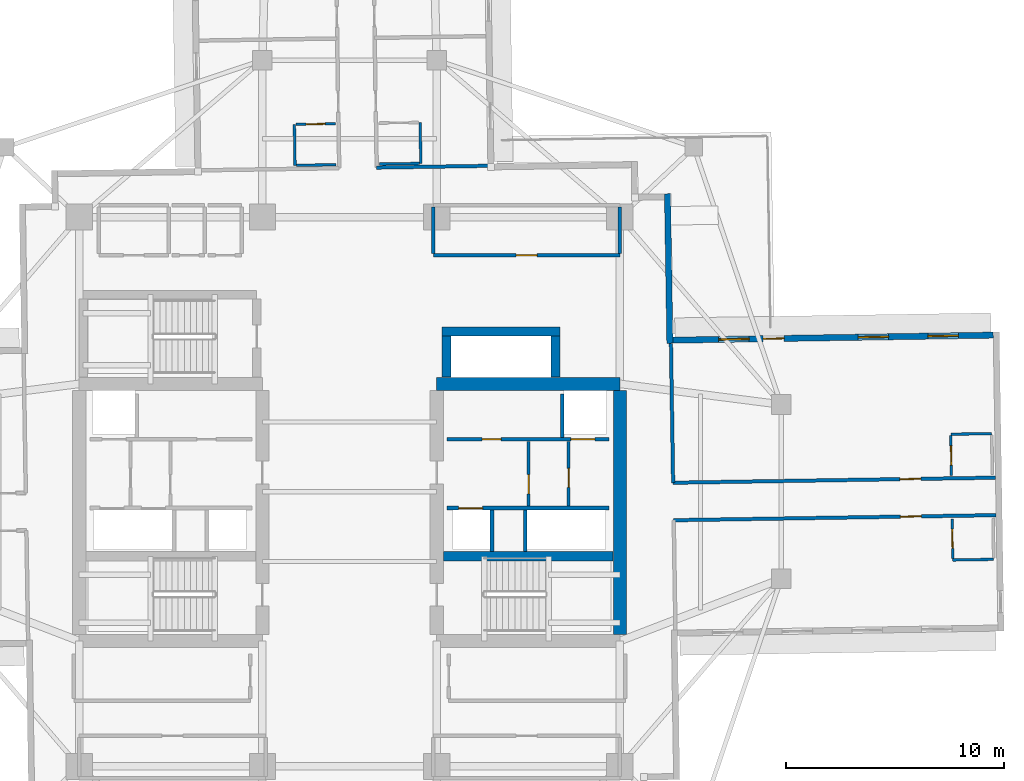
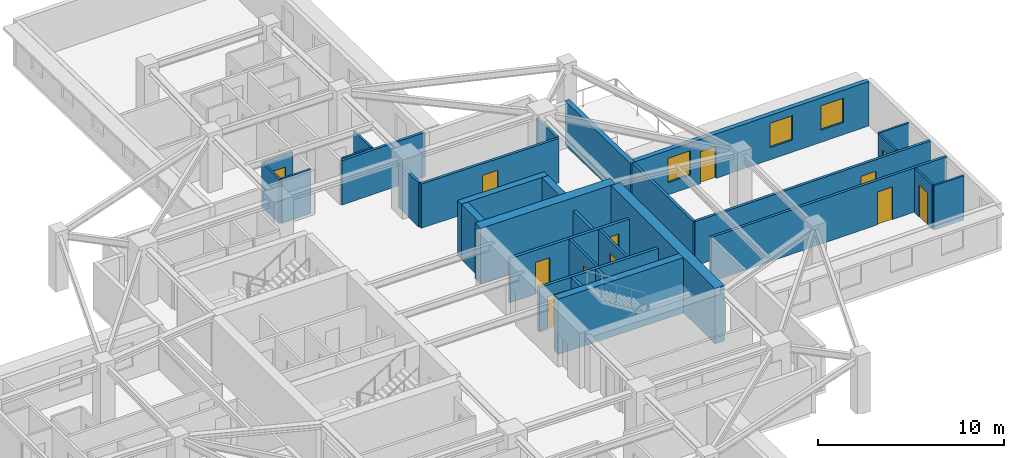
# One storey, part 6 of 13: 31 walls, 12 doors, 3 windows, 15 openings.
"""IFC4 building model written with IfcOpenShell, lengths in metres."""

from ifc_helpers import new_model, si_unit, direction, frame, frame_2d, origin, place, context, subcontext, project, spatial, rectangle, extrude, material, layer, layer_set, type_object, element, fill, save


model = new_model("IFC4")

# Units and contexts
model_context = context("Model", 3, precision=1e-05, world=origin(), true_north=direction((0.0, 1.0)))
body_context = subcontext(model_context, "Body", "Model", "MODEL_VIEW")
ifc_project = project(units=[si_unit("LENGTHUNIT", "METRE"), si_unit("AREAUNIT", "SQUARE_METRE"), si_unit("VOLUMEUNIT", "CUBIC_METRE"), si_unit("PLANEANGLEUNIT", "RADIAN"), si_unit("MASSUNIT", "GRAM", prefix="KILO")], contexts=[model_context])

# Site, building, storey
site_placement = place(None, origin())
site = spatial("IfcSite", under=ifc_project, at=site_placement, CompositionType="ELEMENT")
building_placement = place(site_placement, origin())
building = spatial("IfcBuilding", under=site, at=building_placement, Name="Qingluan Cross Belvedere", CompositionType="ELEMENT")
storey_placement = place(building_placement, frame((0.0, 0.0, 187.800048828125)))
storey = spatial("IfcBuildingStorey", under=building, at=storey_placement, Name="L47", CompositionType="ELEMENT", Elevation=187.800048828125)

# Walls
ifc_material_1 = material(Name="Concrete C50", Category="concrete")
ifc_layer_1 = layer(ifc_material_1, 0.449951171875, Name="CoreShearWall_450")
ifc_layer_set_1 = layer_set([ifc_layer_1], Name="Concrete C50")
wall_type_1 = type_object("IfcWallType", Name="CoreShearWall_450", PredefinedType="SHEAR", material=ifc_layer_set_1)
wall_1_placement = place(storey_placement, frame((4.304931640625, -2.9599609375, 0.0), z_axis=(0.0, 0.0, 1.0), x_axis=(1.0, 0.0, 0.0)))
element("IfcWall", 1, at=wall_1_placement, inside=storey, type_object=wall_type_1, Name="Split core E shear wall L47-M", PredefinedType="SHEAR", context=body_context, shape_type="SweptSolid", body=[
    extrude(rectangle(XDim=7.7900390625, YDim=0.449951171875, at=frame_2d((3.89501953125, 0.0))), origin(), (0.0, 0.0, 1.0), 3.64990234375),
])
wall_2_placement = place(storey_placement, frame((4.449951171875, 5.2548828125, 0.0), z_axis=(0.0, 0.0, 1.0), x_axis=(0.0, 1.0, 0.0)))
element("IfcWall", 2, at=wall_2_placement, inside=storey, type_object=wall_type_1, Name="Express shuttle core wall L47-W", PredefinedType="SHEAR", context=body_context, shape_type="SweptSolid", body=[
    extrude(rectangle(XDim=1.885009765625, YDim=0.39990234375, at=frame_2d((0.9423828125, 0.0))), origin(), (0.0, 0.0, 1.0), 3.64990234375),
])
wall_3_placement = place(storey_placement, frame((4.25, 7.35009765625, 0.0), z_axis=(0.0, 0.0, 1.0), x_axis=(1.0, 0.0, 0.0)))
element("IfcWall", 3, at=wall_3_placement, inside=storey, type_object=wall_type_1, Name="Express shuttle core wall L47-N", PredefinedType="SHEAR", context=body_context, shape_type="SweptSolid", body=[
    extrude(rectangle(XDim=5.39990234375, YDim=0.39990234375, at=frame_2d((2.699951171875, 0.0))), origin(), (0.0, 0.0, 1.0), 3.64990234375),
])
wall_4_placement = place(storey_placement, frame((9.449951171875, 5.2548828125, 0.0), z_axis=(0.0, 0.0, 1.0), x_axis=(0.0, 1.0, 0.0)))
element("IfcWall", 4, at=wall_4_placement, inside=storey, type_object=wall_type_1, Name="Express shuttle core wall L47-E", PredefinedType="SHEAR", context=body_context, shape_type="SweptSolid", body=[
    extrude(rectangle(XDim=1.885009765625, YDim=0.39990234375, at=frame_2d((0.9423828125, 0.0))), origin(), (0.0, 0.0, 1.0), 3.64990234375),
])
ifc_material_2 = material(Name="Concrete C60", Category="concrete")
ifc_layer_2 = layer(ifc_material_2, 0.60009765625, Name="CoreShearWall_600")
ifc_layer_set_2 = layer_set([ifc_layer_2], Name="Concrete C60")
wall_type_2 = type_object("IfcWallType", Name="CoreShearWall_600", PredefinedType="SHEAR", material=ifc_layer_set_2)
wall_5_placement = place(storey_placement, frame((4.0, 4.949951171875, 0.0), z_axis=(0.0, 0.0, 1.0), x_axis=(1.0, 0.0, 0.0)))
element("IfcWall", 5, at=wall_5_placement, inside=storey, type_object=wall_type_2, Name="Split core E shear wall L47-N", PredefinedType="SHEAR", context=body_context, shape_type="SweptSolid", body=[
    extrude(rectangle(XDim=8.39990234375, YDim=0.60009765625, at=frame_2d((4.199951171875, 0.0))), origin(), (0.0, 0.0, 1.0), 3.64990234375),
])
wall_6_placement = place(storey_placement, frame((12.39990234375, -6.544921875, 0.0), z_axis=(0.0, 0.0, 1.0), x_axis=(0.0, 1.0, 0.0)))
element("IfcWall", 6, at=wall_6_placement, inside=storey, type_object=wall_type_2, Name="Split core E shear wall L47-E", PredefinedType="SHEAR", context=body_context, shape_type="SweptSolid", body=[
    extrude(rectangle(XDim=11.18994140625, YDim=0.60009765625, at=frame_2d((5.594970703125, 0.0))), origin(), (0.0, 0.0, 1.0), 3.64990234375),
])

# Wall, opening, door
ifc_material_3 = material(Name="Gypsum plasterboard on steel stud acoustic partition", Category="steel")
ifc_layer_3 = layer(ifc_material_3, 0.159912109375, Name="CorridorPartition_160")
ifc_layer_set_3 = layer_set([ifc_layer_3], Name="Gypsum plasterboard on steel stud acoustic partition")
wall_type_3 = type_object("IfcWallType", Name="CorridorPartition_160", PredefinedType="PARTITIONING", material=ifc_layer_set_3)
wall_7_placement = place(storey_placement, frame((10.050048828125, -0.652099609375, 0.0), z_axis=(0.0, 0.0, 1.0), x_axis=(0.0, 1.0, 0.0)))
wall_7 = element("IfcWall", 7, at=wall_7_placement, inside=storey, type_object=wall_type_3, Name="Partition L47:ev", PredefinedType="PARTITIONING", context=body_context, shape_type="SweptSolid", body=[
    extrude(rectangle(XDim=2.962158203125, YDim=0.139892578125, at=frame_2d((1.48095703125, 0.0))), origin(), (0.0, 0.0, 1.0), 2.909912109375),
])
opening_1_placement = place(wall_7_placement, frame((0.85009765625, 0.0, 0.0)))
opening_1 = element("IfcOpeningElement", 8, at=opening_1_placement, cuts=wall_7, Name="Opening FD-B10", PredefinedType="OPENING", context=body_context, shape_type="SweptSolid", body=[
    extrude(rectangle(XDim=0.8798828125, YDim=2.10009765625, at=frame_2d((0.43994140625, 1.050048828125))), frame((0.0, 0.079833984375, 0.0), z_axis=(0.0, -1.0, 0.0), x_axis=(1.0, 0.0, 0.0)), (0.0, 0.0, 1.0), 0.159912109375),
])
ifc_material_4 = material(Name="Steel Class B service fire door", Category="steel")
door_type_1 = type_object("IfcDoorType", Name="RiserServiceFireDoor_FDB", OperationType="NOTDEFINED", PredefinedType="DOOR", material=ifc_material_4)
door_1_placement = place(opening_1_placement, origin())
door_1 = element("IfcDoor", 9, at=door_1_placement, inside=storey, type_object=door_type_1, Name="Service closet inner door L47", OperationType="SINGLE_SWING_LEFT", OverallHeight=2.10009765625, OverallWidth=0.8798828125, PredefinedType="DOOR", context=body_context, shape_type="SweptSolid", body=[
    extrude(rectangle(XDim=0.8798828125, YDim=2.10009765625, at=frame_2d((0.43994140625, 1.050048828125))), frame((0.0, 0.02490234375, 0.0), z_axis=(0.0, -1.0, 0.0), x_axis=(1.0, 0.0, 0.0)), (0.0, 0.0, 1.0), 0.050048828125),
])
fill(opening_1, door_1)

wall_8_placement = place(storey_placement, frame((3.85009765625, 10.85009765625, 0.0), z_axis=(0.0, 0.0, 1.0), x_axis=(1.0, 0.0, 0.0)))
wall_8 = element("IfcWall", 10, at=wall_8_placement, inside=storey, type_object=wall_type_3, Name="Partition L47:q_ne:S", PredefinedType="PARTITIONING", context=body_context, shape_type="SweptSolid", body=[
    extrude(rectangle(XDim=8.5498046875, YDim=0.159912109375, at=frame_2d((4.27490234375, 0.0))), origin(), (0.0, 0.0, 1.0), 2.909912109375),
])
opening_2_placement = place(wall_8_placement, frame((3.794921875, 0.0, 0.0)))
opening_2 = element("IfcOpeningElement", 11, at=opening_2_placement, cuts=wall_8, Name="Opening GD-10", PredefinedType="OPENING", context=body_context, shape_type="SweptSolid", body=[
    extrude(rectangle(XDim=0.9599609375, YDim=2.14990234375, at=frame_2d((0.47998046875, 1.074951171875))), frame((0.0, 0.08984375, 0.0), z_axis=(0.0, -1.0, 0.0), x_axis=(1.0, 0.0, 0.0)), (0.0, 0.0, 1.0), 0.179931640625),
])
ifc_material_5 = material(Name="Timber oak fire-rated acoustic guestroom door", Category="wood")
door_type_2 = type_object("IfcDoorType", Name="GuestEntryDoor_FD60", OperationType="NOTDEFINED", PredefinedType="DOOR", material=ifc_material_5)
door_2_placement = place(opening_2_placement, origin())
door_2 = element("IfcDoor", 12, at=door_2_placement, inside=storey, type_object=door_type_2, Name="VIP diplomatic boardroom L47 door", OperationType="SINGLE_SWING_LEFT", OverallHeight=2.14990234375, OverallWidth=0.9599609375, PredefinedType="DOOR", context=body_context, shape_type="SweptSolid", body=[
    extrude(rectangle(XDim=0.9599609375, YDim=2.14990234375, at=frame_2d((0.47998046875, 1.074951171875))), frame((0.0, 0.02490234375, 0.0), z_axis=(0.0, -1.0, 0.0), x_axis=(1.0, 0.0, 0.0)), (0.0, 0.0, 1.0), 0.050048828125),
])
fill(opening_2, door_2)

# Walls
for number, where, z_axis, x_axis, name in (
    (13, (3.85009765625, 10.93505859375, 0.0), (0.0, 0.0, 1.0), (0.0, 1.0, 0.0), "Partition L47:q_ne:W"),
    (14, (12.39990234375, 10.93505859375, 0.0), (0.0, 0.0, 1.0), (0.0, 1.0, 0.0), "Partition L47:q_ne:E"),
):
    element("IfcWall", number, at=place(storey_placement, frame(where, z_axis=z_axis, x_axis=x_axis)), inside=storey, type_object=wall_type_3, Name=name, PredefinedType="PARTITIONING", context=body_context, shape_type="SweptSolid", body=[
        extrude(rectangle(XDim=2.1298828125, YDim=0.159912109375, at=frame_2d((1.06494140625, 0.0))), origin(), (0.0, 0.0, 1.0), 2.909912109375),
    ])

# Wall, opening, door
wall_9_placement = place(storey_placement, frame((14.84521484375, 0.4130859375, 0.0), z_axis=(0.0, 0.0, 1.0), x_axis=(0.999876382905, 0.015723196507, 0.0)))
wall_9 = element("IfcWall", 15, at=wall_9_placement, inside=storey, type_object=wall_type_3, Name="Partition L47:E:c0", PredefinedType="PARTITIONING", context=body_context, shape_type="SweptSolid", body=[
    extrude(rectangle(XDim=14.781982421875, YDim=0.159912109375, at=frame_2d((7.39111328125, 0.0))), origin(), (0.0, 0.0, 1.0), 2.909912109375),
])
opening_3_placement = place(wall_9_placement, frame((10.404052734375, 0.0, 0.0)))
opening_3 = element("IfcOpeningElement", 16, at=opening_3_placement, cuts=wall_9, Name="Opening GD-10", PredefinedType="OPENING", context=body_context, shape_type="SweptSolid", body=[
    extrude(rectangle(XDim=0.9599609375, YDim=2.14990234375, at=frame_2d((0.47998046875, 1.074951171875))), frame((0.0, 0.08984375, 0.0), z_axis=(0.0, -1.0, 0.0), x_axis=(1.0, 0.0, 0.0)), (0.0, 0.0, 1.0), 0.179931640625),
])
door_3_placement = place(opening_3_placement, origin())
door_3 = element("IfcDoor", 17, at=door_3_placement, inside=storey, type_object=door_type_2, Name="Guest entry fire door 4701", OperationType="SINGLE_SWING_RIGHT", OverallHeight=2.14990234375, OverallWidth=0.9599609375, PredefinedType="DOOR", context=body_context, shape_type="SweptSolid", body=[
    extrude(rectangle(XDim=0.9599609375, YDim=2.14990234375, at=frame_2d((0.47998046875, 1.074951171875))), frame((0.0, 0.02490234375, 0.0), z_axis=(0.0, -1.0, 0.0), x_axis=(1.0, 0.0, 0.0)), (0.0, 0.0, 1.0), 0.050048828125),
])
fill(opening_3, door_3)

# Wall
wall_10_placement = place(storey_placement, frame((14.84521484375, 0.4130859375, 0.0), z_axis=(0.0, 0.0, 1.0), x_axis=(-0.015697672111, 0.999876783954, 0.0)))
element("IfcWall", 18, at=wall_10_placement, inside=storey, type_object=wall_type_3, Name="Partition L47:E:s0", PredefinedType="PARTITIONING", context=body_context, shape_type="SweptSolid", body=[
    extrude(rectangle(XDim=6.39208984375, YDim=0.159912109375, at=frame_2d((3.196044921875, 0.0))), origin(), (0.0, 0.0, 1.0), 2.909912109375),
])

# Wall, opening, door
wall_11_placement = place(storey_placement, frame((14.872314453125, -1.306640625, 0.0), z_axis=(0.0, 0.0, 1.0), x_axis=(0.999876382905, 0.015723196507, 0.0)))
wall_11 = element("IfcWall", 19, at=wall_11_placement, inside=storey, type_object=wall_type_3, Name="Partition L47:E:c1", PredefinedType="PARTITIONING", context=body_context, shape_type="SweptSolid", body=[
    extrude(rectangle(XDim=14.781982421875, YDim=0.159912109375, at=frame_2d((7.39111328125, 0.0))), origin(), (0.0, 0.0, 1.0), 2.909912109375),
])
opening_4_placement = place(wall_11_placement, frame((10.404052734375, 0.0, 0.0)))
opening_4 = element("IfcOpeningElement", 20, at=opening_4_placement, cuts=wall_11, Name="Opening GD-10", PredefinedType="OPENING", context=body_context, shape_type="SweptSolid", body=[
    extrude(rectangle(XDim=0.9599609375, YDim=2.14990234375, at=frame_2d((0.47998046875, 1.074951171875))), frame((0.0, 0.08984375, 0.0), z_axis=(0.0, -1.0, 0.0), x_axis=(1.0, 0.0, 0.0)), (0.0, 0.0, 1.0), 0.179931640625),
])
door_4_placement = place(opening_4_placement, origin())
door_4 = element("IfcDoor", 21, at=door_4_placement, inside=storey, type_object=door_type_2, Name="Guest entry fire door 4702", OperationType="SINGLE_SWING_RIGHT", OverallHeight=2.14990234375, OverallWidth=0.9599609375, PredefinedType="DOOR", context=body_context, shape_type="SweptSolid", body=[
    extrude(rectangle(XDim=0.9599609375, YDim=2.14990234375, at=frame_2d((0.47998046875, 1.074951171875))), frame((0.0, 0.02490234375, 0.0), z_axis=(0.0, -1.0, 0.0), x_axis=(1.0, 0.0, 0.0)), (0.0, 0.0, 1.0), 0.050048828125),
])
fill(opening_4, door_4)

# Wall
wall_12_placement = place(storey_placement, frame((1.24658203125, 14.871337890625, 0.0), z_axis=(0.0, 0.0, 1.0), x_axis=(0.99987672073, 0.015701698737, 0.0)))
element("IfcWall", 22, at=wall_12_placement, inside=storey, type_object=wall_type_3, Name="Partition L47:N:s0", PredefinedType="PARTITIONING", context=body_context, shape_type="SweptSolid", body=[
    extrude(rectangle(XDim=5.239990234375, YDim=0.159912109375, at=frame_2d((2.6201171875, 0.0))), origin(), (0.0, 0.0, 1.0), 2.909912109375),
])

# Wall, opening, door
ifc_material_6 = material(Name="Moisture-resistant gypsum board lining")
ifc_layer_4 = layer(ifc_material_6, 0.1201171875, Name="EnsuiteWetPartition_120")
ifc_layer_set_4 = layer_set([ifc_layer_4], Name="Moisture-resistant gypsum board lining")
wall_type_4 = type_object("IfcWallType", Name="EnsuiteWetPartition_120", PredefinedType="PARTITIONING", material=ifc_layer_set_4)
wall_13_placement = place(storey_placement, frame((27.611572265625, 0.75390625, 0.0), z_axis=(0.0, 0.0, 1.0), x_axis=(-0.015696442504, 0.999876803258, 0.0)))
wall_13 = element("IfcWall", 23, at=wall_13_placement, inside=storey, type_object=wall_type_4, Name="Partition L47:E:bs0_0", PredefinedType="PARTITIONING", context=body_context, shape_type="SweptSolid", body=[
    extrude(rectangle(XDim=1.81982421875, YDim=0.1201171875, at=frame_2d((0.909912109375, 0.0))), origin(), (0.0, 0.0, 1.0), 2.909912109375),
])
opening_5_placement = place(wall_13_placement, frame((0.469970703125, 0.0, 0.0)))
opening_5 = element("IfcOpeningElement", 24, at=opening_5_placement, cuts=wall_13, Name="Opening BD-09", PredefinedType="OPENING", context=body_context, shape_type="SweptSolid", body=[
    extrude(rectangle(XDim=0.8798828125, YDim=2.10009765625, at=frame_2d((0.43994140625, 1.050048828125))), frame((0.0, 0.070068359375, 0.0), z_axis=(0.0, -1.0, 0.0), x_axis=(1.0, 0.0, 0.0)), (0.0, 0.0, 1.0), 0.14013671875),
])
ifc_material_7 = material(Name="Moisture-sealed timber en-suite door", Category="wood")
door_type_3 = type_object("IfcDoorType", Name="BathroomDoor_880", OperationType="NOTDEFINED", PredefinedType="DOOR", material=ifc_material_7)
door_5_placement = place(opening_5_placement, origin())
door_5 = element("IfcDoor", 25, at=door_5_placement, inside=storey, type_object=door_type_3, Name="Bathroom door 4701", OperationType="SINGLE_SWING_LEFT", OverallHeight=2.10009765625, OverallWidth=0.8798828125, PredefinedType="DOOR", context=body_context, shape_type="SweptSolid", body=[
    extrude(rectangle(XDim=0.8798828125, YDim=2.10009765625, at=frame_2d((0.43994140625, 1.050048828125))), frame((0.0, 0.02490234375, 0.0), z_axis=(0.0, -1.0, 0.0), x_axis=(1.0, 0.0, 0.0)), (0.0, 0.0, 1.0), 0.050048828125),
])
fill(opening_5, door_5)

# Wall
wall_14_placement = place(storey_placement, frame((27.58203125, 2.638671875, 0.0), z_axis=(0.0, 0.0, 1.0), x_axis=(0.99987652141, 0.015714386166, 0.0)))
element("IfcWall", 26, at=wall_14_placement, inside=storey, type_object=wall_type_4, Name="Partition L47:E:bn0_0", PredefinedType="PARTITIONING", context=body_context, shape_type="SweptSolid", body=[
    extrude(rectangle(XDim=1.8798828125, YDim=0.1201171875, at=frame_2d((0.93994140625, 0.0))), origin(), (0.0, 0.0, 1.0), 2.909912109375),
])

# Wall, opening, door
wall_15_placement = place(storey_placement, frame((27.671630859375, -3.065673828125, 0.0), z_axis=(0.0, 0.0, 1.0), x_axis=(-0.015696442504, 0.999876803258, 0.0)))
wall_15 = element("IfcWall", 27, at=wall_15_placement, inside=storey, type_object=wall_type_4, Name="Partition L47:E:bs1_0", PredefinedType="PARTITIONING", context=body_context, shape_type="SweptSolid", body=[
    extrude(rectangle(XDim=1.81982421875, YDim=0.1201171875, at=frame_2d((0.909912109375, 0.0))), origin(), (0.0, 0.0, 1.0), 2.909912109375),
])
opening_6_placement = place(wall_15_placement, frame((0.469970703125, 0.0, 0.0)))
opening_6 = element("IfcOpeningElement", 28, at=opening_6_placement, cuts=wall_15, Name="Opening BD-09", PredefinedType="OPENING", context=body_context, shape_type="SweptSolid", body=[
    extrude(rectangle(XDim=0.8798828125, YDim=2.10009765625, at=frame_2d((0.43994140625, 1.050048828125))), frame((0.0, 0.070068359375, 0.0), z_axis=(0.0, -1.0, 0.0), x_axis=(1.0, 0.0, 0.0)), (0.0, 0.0, 1.0), 0.14013671875),
])
door_6_placement = place(opening_6_placement, origin())
door_6 = element("IfcDoor", 29, at=door_6_placement, inside=storey, type_object=door_type_3, Name="Bathroom door 4702", OperationType="SINGLE_SWING_LEFT", OverallHeight=2.10009765625, OverallWidth=0.8798828125, PredefinedType="DOOR", context=body_context, shape_type="SweptSolid", body=[
    extrude(rectangle(XDim=0.8798828125, YDim=2.10009765625, at=frame_2d((0.43994140625, 1.050048828125))), frame((0.0, 0.02490234375, 0.0), z_axis=(0.0, -1.0, 0.0), x_axis=(1.0, 0.0, 0.0)), (0.0, 0.0, 1.0), 0.050048828125),
])
fill(opening_6, door_6)

# Walls
wall_16_placement = place(storey_placement, frame((27.672607421875, -3.130615234375, 0.0), z_axis=(0.0, 0.0, 1.0), x_axis=(0.999878585111, 0.015582523404, 0.0)))
element("IfcWall", 30, at=wall_16_placement, inside=storey, type_object=wall_type_4, Name="Partition L47:E:bc1_0", PredefinedType="PARTITIONING", context=body_context, shape_type="SweptSolid", body=[
    extrude(rectangle(XDim=1.880126953125, YDim=0.1201171875, at=frame_2d((0.93994140625, 0.0))), origin(), (0.0, 0.0, 1.0), 2.909912109375),
])
wall_17_placement = place(storey_placement, frame((1.384033203125, 15.03369140625, 0.0), z_axis=(0.0, 0.0, 1.0), x_axis=(0.999876836305, 0.015694337248, 0.0)))
element("IfcWall", 31, at=wall_17_placement, inside=storey, type_object=wall_type_4, Name="Partition L47:N:bw0_0", PredefinedType="PARTITIONING", context=body_context, shape_type="SweptSolid", body=[
    extrude(rectangle(XDim=1.820068359375, YDim=0.1201171875, at=frame_2d((0.91015625, 0.0))), origin(), (0.0, 0.0, 1.0), 2.909912109375),
])
wall_18_placement = place(storey_placement, frame((3.268798828125, 15.063232421875, 0.0), z_axis=(0.0, 0.0, 1.0), x_axis=(-0.01571234584, 0.999876553475, 0.0)))
element("IfcWall", 32, at=wall_18_placement, inside=storey, type_object=wall_type_4, Name="Partition L47:N:bn0_0", PredefinedType="PARTITIONING", context=body_context, shape_type="SweptSolid", body=[
    extrude(rectangle(XDim=1.880126953125, YDim=0.1201171875, at=frame_2d((0.93994140625, 0.0))), origin(), (0.0, 0.0, 1.0), 2.909912109375),
])

# Wall, opening, door
wall_19_placement = place(storey_placement, frame((-2.465087890625, 16.853515625, 0.0), z_axis=(0.0, 0.0, 1.0), x_axis=(0.999878932289, 0.015560230231, 0.0)))
wall_19 = element("IfcWall", 33, at=wall_19_placement, inside=storey, type_object=wall_type_4, Name="Partition L47:N:bs1_0", PredefinedType="PARTITIONING", context=body_context, shape_type="SweptSolid", body=[
    extrude(rectangle(XDim=1.820068359375, YDim=0.1201171875, at=frame_2d((0.91015625, 0.0))), origin(), (0.0, 0.0, 1.0), 2.909912109375),
])
opening_7_placement = place(wall_19_placement, frame((0.469970703125, 0.0, 0.0)))
opening_7 = element("IfcOpeningElement", 34, at=opening_7_placement, cuts=wall_19, Name="Opening BD-09", PredefinedType="OPENING", context=body_context, shape_type="SweptSolid", body=[
    extrude(rectangle(XDim=0.8798828125, YDim=2.10009765625, at=frame_2d((0.43994140625, 1.050048828125))), frame((0.0, 0.070068359375, 0.0), z_axis=(0.0, -1.0, 0.0), x_axis=(1.0, 0.0, 0.0)), (0.0, 0.0, 1.0), 0.14013671875),
])
door_7_placement = place(opening_7_placement, origin())
door_7 = element("IfcDoor", 35, at=door_7_placement, inside=storey, type_object=door_type_3, Name="Bathroom door 4707", OperationType="SINGLE_SWING_LEFT", OverallHeight=2.10009765625, OverallWidth=0.8798828125, PredefinedType="DOOR", context=body_context, shape_type="SweptSolid", body=[
    extrude(rectangle(XDim=0.8798828125, YDim=2.10009765625, at=frame_2d((0.43994140625, 1.050048828125))), frame((0.0, 0.02490234375, 0.0), z_axis=(0.0, -1.0, 0.0), x_axis=(1.0, 0.0, 0.0)), (0.0, 0.0, 1.0), 0.050048828125),
])
fill(opening_7, door_7)

# Walls
wall_20_placement = place(storey_placement, frame((-2.435546875, 14.9736328125, 0.0), z_axis=(0.0, 0.0, 1.0), x_axis=(0.999876836305, 0.015694337248, 0.0)))
element("IfcWall", 36, at=wall_20_placement, inside=storey, type_object=wall_type_4, Name="Partition L47:N:bw1_0", PredefinedType="PARTITIONING", context=body_context, shape_type="SweptSolid", body=[
    extrude(rectangle(XDim=1.820068359375, YDim=0.1201171875, at=frame_2d((0.91015625, 0.0))), origin(), (0.0, 0.0, 1.0), 2.909912109375),
])
wall_21_placement = place(storey_placement, frame((-2.50048828125, 14.97265625, 0.0), z_axis=(0.0, 0.0, 1.0), x_axis=(-0.015714386166, 0.99987652141, 0.0)))
element("IfcWall", 37, at=wall_21_placement, inside=storey, type_object=wall_type_4, Name="Partition L47:N:bc1_0", PredefinedType="PARTITIONING", context=body_context, shape_type="SweptSolid", body=[
    extrude(rectangle(XDim=1.8798828125, YDim=0.1201171875, at=frame_2d((0.93994140625, 0.0))), origin(), (0.0, 0.0, 1.0), 2.909912109375),
])

# Wall, openings, windows, door
ifc_material_8 = material(Name="Precast concrete C45", Category="concrete")
ifc_layer_5 = layer(ifc_material_8, 0.280029296875, Name="PrecastFacadeWall_280")
ifc_layer_set_5 = layer_set([ifc_layer_5], Name="Precast concrete C45")
wall_type_5 = type_object("IfcWallType", Name="PrecastFacadeWall_280", PredefinedType="STANDARD", material=ifc_layer_set_5)
wall_22_placement = place(storey_placement, frame((29.53076171875, 7.184814453125, 0.0), z_axis=(0.0, 0.0, 1.0), x_axis=(-0.999876569875, -0.015711302158, 0.0)))
wall_22 = element("IfcWall", 38, at=wall_22_placement, inside=storey, type_object=wall_type_5, Name="Facade wall L47-EB", PredefinedType="STANDARD", context=body_context, shape_type="SweptSolid", body=[
    extrude(rectangle(XDim=14.699951171875, YDim=0.280029296875, at=frame_2d((7.35009765625, 0.0))), origin(), (0.0, 0.0, 1.0), 2.919921875),
])
opening_8_placement = place(wall_22_placement, frame((1.60009765625, 0.0, 0.800048828125)))
opening_8 = element("IfcOpeningElement", 39, at=opening_8_placement, cuts=wall_22, Name="Opening W-01", PredefinedType="OPENING", context=body_context, shape_type="SweptSolid", body=[
    extrude(rectangle(XDim=1.39990234375, YDim=1.60009765625, at=frame_2d((0.699951171875, 0.800048828125))), frame((0.0, 0.14990234375, 0.0), z_axis=(0.0, -1.0, 0.0), x_axis=(1.0, 0.0, 0.0)), (0.0, 0.0, 1.0), 0.300048828125),
])
opening_9_placement = place(wall_22_placement, frame((4.800048828125, 0.0, 0.800048828125)))
opening_9 = element("IfcOpeningElement", 40, at=opening_9_placement, cuts=wall_22, Name="Opening W-01", PredefinedType="OPENING", context=body_context, shape_type="SweptSolid", body=[
    extrude(rectangle(XDim=1.39990234375, YDim=1.60009765625, at=frame_2d((0.699951171875, 0.800048828125))), frame((0.0, 0.14990234375, 0.0), z_axis=(0.0, -1.0, 0.0), x_axis=(1.0, 0.0, 0.0)), (0.0, 0.0, 1.0), 0.300048828125),
])
opening_10_placement = place(wall_22_placement, frame((11.199951171875, 0.0, 0.800048828125)))
opening_10 = element("IfcOpeningElement", 41, at=opening_10_placement, cuts=wall_22, Name="Opening W-01", PredefinedType="OPENING", context=body_context, shape_type="SweptSolid", body=[
    extrude(rectangle(XDim=1.39990234375, YDim=1.60009765625, at=frame_2d((0.699951171875, 0.800048828125))), frame((0.0, 0.14990234375, 0.0), z_axis=(0.0, -1.0, 0.0), x_axis=(1.0, 0.0, 0.0)), (0.0, 0.0, 1.0), 0.300048828125),
])
opening_11_placement = place(wall_22_placement, frame((9.60009765625, 0.0, 0.0)))
opening_11 = element("IfcOpeningElement", 42, at=opening_11_placement, cuts=wall_22, Name="Opening WD-10", PredefinedType="OPENING", context=body_context, shape_type="SweptSolid", body=[
    extrude(rectangle(XDim=0.9599609375, YDim=2.10009765625, at=frame_2d((0.47998046875, 1.050048828125))), frame((0.0, 0.14990234375, 0.0), z_axis=(0.0, -1.0, 0.0), x_axis=(1.0, 0.0, 0.0)), (0.0, 0.0, 1.0), 0.300048828125),
])
ifc_material_9 = material(Name="Thermally broken triple Low-E glass in aluminium frame", Category="aluminium")
window_type = type_object("IfcWindowType", Name="TriRibbonWin_1400x1600", PartitioningType="SINGLE_PANEL", PredefinedType="WINDOW", material=ifc_material_9)
window_1_placement = place(opening_8_placement, origin())
window_1 = element("IfcWindow", 43, at=window_1_placement, inside=storey, type_object=window_type, Name="Ribbon window L47-EB-1", OverallHeight=1.60009765625, OverallWidth=1.39990234375, PartitioningType="SINGLE_PANEL", PredefinedType="WINDOW", context=body_context, shape_type="SweptSolid", body=[
    extrude(rectangle(XDim=1.39990234375, YDim=1.60009765625, at=frame_2d((0.699951171875, 0.800048828125))), frame((0.0, 0.030029296875, 0.0), z_axis=(0.0, -1.0, 0.0), x_axis=(1.0, 0.0, 0.0)), (0.0, 0.0, 1.0), 0.06005859375),
])
fill(opening_8, window_1)
window_2_placement = place(opening_9_placement, origin())
window_2 = element("IfcWindow", 44, at=window_2_placement, inside=storey, type_object=window_type, Name="Ribbon window L47-EB-2", OverallHeight=1.60009765625, OverallWidth=1.39990234375, PartitioningType="SINGLE_PANEL", PredefinedType="WINDOW", context=body_context, shape_type="SweptSolid", body=[
    extrude(rectangle(XDim=1.39990234375, YDim=1.60009765625, at=frame_2d((0.699951171875, 0.800048828125))), frame((0.0, 0.030029296875, 0.0), z_axis=(0.0, -1.0, 0.0), x_axis=(1.0, 0.0, 0.0)), (0.0, 0.0, 1.0), 0.06005859375),
])
fill(opening_9, window_2)
window_3_placement = place(opening_10_placement, origin())
window_3 = element("IfcWindow", 45, at=window_3_placement, inside=storey, type_object=window_type, Name="Ribbon window L47-EB-4", OverallHeight=1.60009765625, OverallWidth=1.39990234375, PartitioningType="SINGLE_PANEL", PredefinedType="WINDOW", context=body_context, shape_type="SweptSolid", body=[
    extrude(rectangle(XDim=1.39990234375, YDim=1.60009765625, at=frame_2d((0.699951171875, 0.800048828125))), frame((0.0, 0.030029296875, 0.0), z_axis=(0.0, -1.0, 0.0), x_axis=(1.0, 0.0, 0.0)), (0.0, 0.0, 1.0), 0.06005859375),
])
fill(opening_10, window_3)
ifc_material_10 = material(Name="Thermally broken aluminium and Low-E glass", Category="aluminium")
door_type_4 = type_object("IfcDoorType", Name="WinterGardenDoor_096", OperationType="NOTDEFINED", PredefinedType="DOOR", material=ifc_material_10)
door_8_placement = place(opening_11_placement, origin())
door_8 = element("IfcDoor", 46, at=door_8_placement, inside=storey, type_object=door_type_4, Name="Outdoor terrace access door L47-spi", OperationType="SINGLE_SWING_RIGHT", OverallHeight=2.10009765625, OverallWidth=0.9599609375, PredefinedType="DOOR", context=body_context, shape_type="SweptSolid", body=[
    extrude(rectangle(XDim=0.9599609375, YDim=2.10009765625, at=frame_2d((0.47998046875, 1.050048828125))), frame((0.0, 0.02490234375, 0.0), z_axis=(0.0, -1.0, 0.0), x_axis=(1.0, 0.0, 0.0)), (0.0, 0.0, 1.0), 0.050048828125),
])
fill(opening_11, door_8)

# Wall
wall_23_placement = place(storey_placement, frame((14.69482421875, 6.811767578125, 0.0), z_axis=(0.0, 0.0, 1.0), x_axis=(-0.015694809807, 0.999876828887, 0.0)))
element("IfcWall", 47, at=wall_23_placement, inside=storey, type_object=wall_type_5, Name="Corner wall L47-NE1", PredefinedType="STANDARD", context=body_context, shape_type="SweptSolid", body=[
    extrude(rectangle(XDim=6.85986328125, YDim=0.280029296875, at=frame_2d((3.429931640625, 0.0))), origin(), (0.0, 0.0, 1.0), 2.919921875),
])

# Wall, openings, doors
ifc_material_11 = material(Name="Concrete C40", Category="concrete")
ifc_layer_6 = layer(ifc_material_11, 0.219970703125, Name="ShaftEnclosureWall_250")
ifc_layer_set_6 = layer_set([ifc_layer_6], Name="Concrete C40")
wall_type_6 = type_object("IfcWallType", Name="ShaftEnclosureWall_250", PredefinedType="SOLIDWALL", material=ifc_layer_set_6)
wall_24_placement = place(storey_placement, frame((4.47998046875, 2.409912109375, 0.0), z_axis=(0.0, 0.0, 1.0), x_axis=(1.0, 0.0, 0.0)))
wall_24 = element("IfcWall", 48, at=wall_24_placement, inside=storey, type_object=wall_type_6, Name="Core-E north hoistway wall L47", PredefinedType="SOLIDWALL", context=body_context, shape_type="SweptSolid", body=[
    extrude(rectangle(XDim=7.419921875, YDim=0.179931640625, at=frame_2d((3.7099609375, 0.0))), origin(), (0.0, 0.0, 1.0), 2.909912109375),
])
opening_12_placement = place(wall_24_placement, frame((5.669921875, 0.0, 0.0)))
opening_12 = element("IfcOpeningElement", 49, at=opening_12_placement, cuts=wall_24, Name="Opening LD-11", PredefinedType="OPENING", context=body_context, shape_type="SweptSolid", body=[
    extrude(rectangle(XDim=1.10009765625, YDim=2.14990234375, at=frame_2d((0.550048828125, 1.074951171875))), frame((0.0, 0.099853515625, 0.0), z_axis=(0.0, -1.0, 0.0), x_axis=(1.0, 0.0, 0.0)), (0.0, 0.0, 1.0), 0.199951171875),
])
opening_13_placement = place(wall_24_placement, frame((1.60009765625, 0.0, 0.0)))
opening_13 = element("IfcOpeningElement", 50, at=opening_13_placement, cuts=wall_24, Name="Opening FD-B10", PredefinedType="OPENING", context=body_context, shape_type="SweptSolid", body=[
    extrude(rectangle(XDim=0.8798828125, YDim=2.10009765625, at=frame_2d((0.43994140625, 1.050048828125))), frame((0.0, 0.099853515625, 0.0), z_axis=(0.0, -1.0, 0.0), x_axis=(1.0, 0.0, 0.0)), (0.0, 0.0, 1.0), 0.199951171875),
])
ifc_material_12 = material(Name="Brushed stainless steel centre-opening lift landing door", Category="steel")
door_type_5 = type_object("IfcDoorType", Name="LiftLandingSlidingDoor_1100", OperationType="DOUBLE_DOOR_SLIDING", PredefinedType="DOOR", material=ifc_material_12)
door_9_placement = place(opening_12_placement, origin())
door_9 = element("IfcDoor", 51, at=door_9_placement, inside=storey, type_object=door_type_5, Name="Lift landing sliding door FL2 L47", OperationType="DOUBLE_DOOR_SLIDING", OverallHeight=2.14990234375, OverallWidth=1.10009765625, PredefinedType="DOOR", context=body_context, shape_type="SweptSolid", body=[
    extrude(rectangle(XDim=1.10009765625, YDim=2.14990234375, at=frame_2d((0.550048828125, 1.074951171875))), frame((0.0, 0.02490234375, 0.0), z_axis=(0.0, -1.0, 0.0), x_axis=(1.0, 0.0, 0.0)), (0.0, 0.0, 1.0), 0.050048828125),
])
fill(opening_12, door_9)
door_10_placement = place(opening_13_placement, origin())
door_10 = element("IfcDoor", 52, at=door_10_placement, inside=storey, type_object=door_type_1, Name="Pantry room door E L47", OperationType="SINGLE_SWING_LEFT", OverallHeight=2.10009765625, OverallWidth=0.8798828125, PredefinedType="DOOR", context=body_context, shape_type="SweptSolid", body=[
    extrude(rectangle(XDim=0.8798828125, YDim=2.10009765625, at=frame_2d((0.43994140625, 1.050048828125))), frame((0.0, 0.02490234375, 0.0), z_axis=(0.0, -1.0, 0.0), x_axis=(1.0, 0.0, 0.0)), (0.0, 0.0, 1.0), 0.050048828125),
])
fill(opening_13, door_10)

# Wall, opening, door
wall_25_placement = place(storey_placement, frame((4.47998046875, -0.75, 0.0), z_axis=(0.0, 0.0, 1.0), x_axis=(1.0, 0.0, 0.0)))
wall_25 = element("IfcWall", 53, at=wall_25_placement, inside=storey, type_object=wall_type_6, Name="Core-E mid hoistway wall L47", PredefinedType="SOLIDWALL", context=body_context, shape_type="SweptSolid", body=[
    extrude(rectangle(XDim=7.419921875, YDim=0.179931640625, at=frame_2d((3.7099609375, 0.0))), origin(), (0.0, 0.0, 1.0), 2.909912109375),
])
opening_14_placement = place(wall_25_placement, frame((0.52001953125, 0.0, 0.0)))
opening_14 = element("IfcOpeningElement", 54, at=opening_14_placement, cuts=wall_25, Name="Opening LD-11", PredefinedType="OPENING", context=body_context, shape_type="SweptSolid", body=[
    extrude(rectangle(XDim=1.10009765625, YDim=2.14990234375, at=frame_2d((0.550048828125, 1.074951171875))), frame((0.0, 0.099853515625, 0.0), z_axis=(0.0, -1.0, 0.0), x_axis=(1.0, 0.0, 0.0)), (0.0, 0.0, 1.0), 0.199951171875),
])
door_11_placement = place(opening_14_placement, origin())
door_11 = element("IfcDoor", 55, at=door_11_placement, inside=storey, type_object=door_type_5, Name="Lift landing sliding door LP7 L47", OperationType="DOUBLE_DOOR_SLIDING", OverallHeight=2.14990234375, OverallWidth=1.10009765625, PredefinedType="DOOR", context=body_context, shape_type="SweptSolid", body=[
    extrude(rectangle(XDim=1.10009765625, YDim=2.14990234375, at=frame_2d((0.550048828125, 1.074951171875))), frame((0.0, 0.02490234375, 0.0), z_axis=(0.0, -1.0, 0.0), x_axis=(1.0, 0.0, 0.0)), (0.0, 0.0, 1.0), 0.050048828125),
])
fill(opening_14, door_11)

# Walls
wall_26_placement = place(storey_placement, frame((9.760009765625, 2.5, 0.0), z_axis=(0.0, 0.0, 1.0), x_axis=(0.0, 1.0, 0.0)))
element("IfcWall", 56, at=wall_26_placement, inside=storey, type_object=wall_type_6, Name="Hoistway enclosure divider FL2W L47", PredefinedType="SOLIDWALL", context=body_context, shape_type="SweptSolid", body=[
    extrude(rectangle(XDim=1.989990234375, YDim=0.179931640625, at=frame_2d((0.9951171875, 0.0))), origin(), (0.0, 0.0, 1.0), 2.909912109375),
])
for number, where, z_axis, x_axis, name in (
    (57, (6.5400390625, -2.72998046875, 0.0), (0.0, 0.0, 1.0), (0.0, 1.0, 0.0), "Hoistway enclosure divider LP7E L47"),
    (58, (8.06005859375, -2.72998046875, 0.0), (0.0, 0.0, 1.0), (0.0, 1.0, 0.0), "Hoistway enclosure divider LP9W L47"),
):
    element("IfcWall", number, at=place(storey_placement, frame(where, z_axis=z_axis, x_axis=x_axis)), inside=storey, type_object=wall_type_6, Name=name, PredefinedType="SOLIDWALL", context=body_context, shape_type="SweptSolid", body=[
        extrude(rectangle(XDim=1.889892578125, YDim=0.179931640625, at=frame_2d((0.94482421875, 0.0))), origin(), (0.0, 0.0, 1.0), 2.909912109375),
    ])

# Wall, opening, door
wall_27_placement = place(storey_placement, frame((8.219970703125, -0.64990234375, 0.0), z_axis=(0.0, 0.0, 1.0), x_axis=(0.0, 1.0, 0.0)))
wall_27 = element("IfcWall", 59, at=wall_27_placement, inside=storey, type_object=wall_type_6, Name="Core-E service corridor wall L47", PredefinedType="SOLIDWALL", context=body_context, shape_type="SweptSolid", body=[
    extrude(rectangle(XDim=2.9599609375, YDim=0.139892578125, at=frame_2d((1.47998046875, 0.0))), origin(), (0.0, 0.0, 1.0), 2.909912109375),
])
opening_15_placement = place(wall_27_placement, frame((0.550048828125, 0.0, 0.0)))
opening_15 = element("IfcOpeningElement", 60, at=opening_15_placement, cuts=wall_27, Name="Opening FD-B10", PredefinedType="OPENING", context=body_context, shape_type="SweptSolid", body=[
    extrude(rectangle(XDim=0.8798828125, YDim=2.10009765625, at=frame_2d((0.43994140625, 1.050048828125))), frame((0.0, 0.079833984375, 0.0), z_axis=(0.0, -1.0, 0.0), x_axis=(1.0, 0.0, 0.0)), (0.0, 0.0, 1.0), 0.159912109375),
])
door_12_placement = place(opening_15_placement, origin())
door_12 = element("IfcDoor", 61, at=door_12_placement, inside=storey, type_object=door_type_1, Name="Core-E service room door L47", OperationType="SINGLE_SWING_LEFT", OverallHeight=2.10009765625, OverallWidth=0.8798828125, PredefinedType="DOOR", context=body_context, shape_type="SweptSolid", body=[
    extrude(rectangle(XDim=0.8798828125, YDim=2.10009765625, at=frame_2d((0.43994140625, 1.050048828125))), frame((0.0, 0.02490234375, 0.0), z_axis=(0.0, -1.0, 0.0), x_axis=(1.0, 0.0, 0.0)), (0.0, 0.0, 1.0), 0.050048828125),
])
fill(opening_15, door_12)

save(model, "model.ifc")
